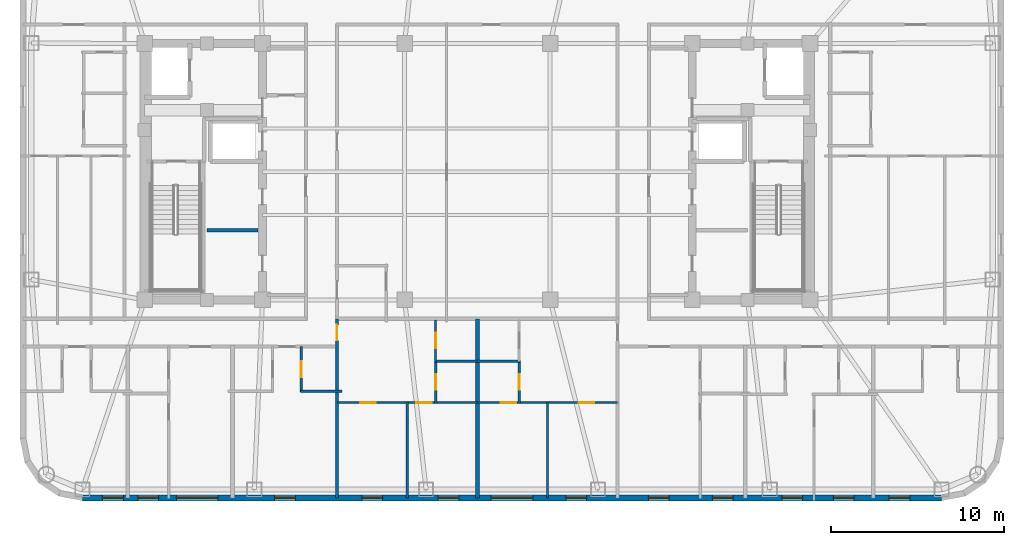
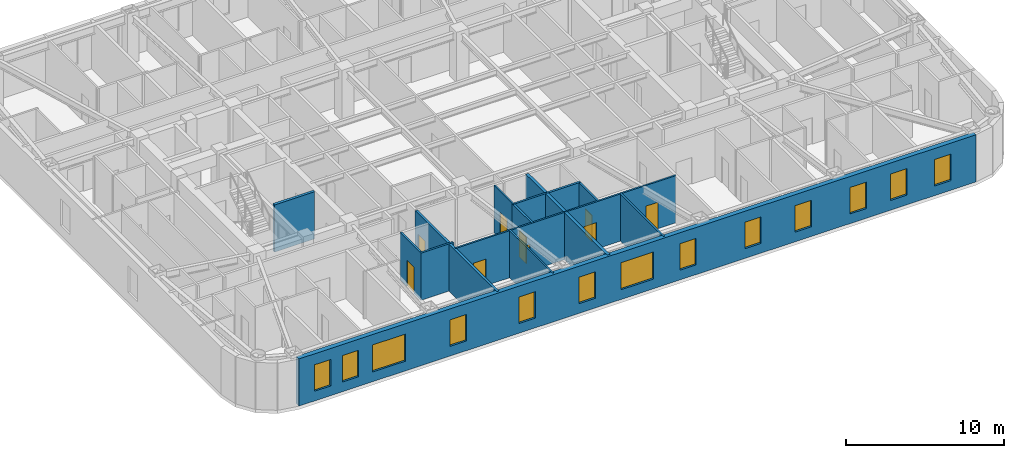
# One storey, part 3 of 11: 15 walls, 13 windows, 9 doors, 22 openings.
"""IFC4 building model written with IfcOpenShell, lengths in metres."""

import ifcopenshell
import ifcopenshell.guid

model = None  # the IFC model being written
_history = None  # IfcOwnerHistory: only IFC2X3 demands one
_inside = {}  # id of a spatial element -> (the spatial element, [elements in it])
_under = {}  # id of a project, library or spatial element -> (it, [spatial elements below it])
_declared = {}  # id of a project -> (the project, [libraries it declares])
_typed = {}  # id of a type object -> (the type object, [elements of that type])
_made_of = {}  # id of a material, layer set ... -> (it, [elements and type objects made of it])


def new_model(schema):
    """Start an empty IFC model of exactly this schema.

    Asked for "IFC4X3", IfcOpenShell would pick the latest addendum, in which some entities
    have other attributes; the version numbers below select the first issue.
    IFC2X3 requires an IfcOwnerHistory on every rooted entity: one is made here for all.
    """
    global model, _history
    if schema == "IFC4X3":
        model = ifcopenshell.file(schema_version=(4, 3, 0, 0))
    else:
        model = ifcopenshell.file(schema=schema)
    _inside.clear()
    _under.clear()
    _declared.clear()
    _typed.clear()
    _made_of.clear()
    _history = None
    if model.schema == "IFC2X3":
        org = make("IfcOrganization", Name="unknown")
        user = make(
            "IfcPersonAndOrganization",
            ThePerson=make("IfcPerson", FamilyName="unknown"),
            TheOrganization=org,
        )
        app = make(
            "IfcApplication",
            ApplicationDeveloper=org,
            Version="unknown",
            ApplicationFullName="unknown",
            ApplicationIdentifier="unknown",
        )
        _history = make(
            "IfcOwnerHistory",
            OwningUser=user,
            OwningApplication=app,
            ChangeAction="ADDED",
            CreationDate=0,
        )
    return model


def make(cls, **values):
    """One entity of the class cls with the attributes given. An attribute that is None is left unset."""
    return model.create_entity(
        cls, **{name: value for name, value in values.items() if value is not None}
    )


def rooted(cls, **values):
    """An entity with a GlobalId (a new one), such as an element, a storey or a relation."""
    return make(cls, GlobalId=ifcopenshell.guid.new(), OwnerHistory=_history, **values)


def si_unit(unit_type, name, prefix=None):
    """IfcSIUnit, for example si_unit("LENGTHUNIT", "METRE", prefix="MILLI")."""
    return make("IfcSIUnit", UnitType=unit_type, Prefix=prefix, Name=name)


def assignment(units):
    """IfcUnitAssignment: the units of a project."""
    return None if units is None else make("IfcUnitAssignment", Units=units)


def point(xyz):
    """IfcCartesianPoint."""
    return None if xyz is None else make("IfcCartesianPoint", Coordinates=xyz)


def direction(xyz):
    """IfcDirection."""
    return None if xyz is None else make("IfcDirection", DirectionRatios=xyz)


def frame(location, z_axis=None, x_axis=None):
    """IfcAxis2Placement3D, a coordinate frame: its origin and axes. An axis left out is left unset."""
    return make(
        "IfcAxis2Placement3D",
        Location=point(location),
        Axis=direction(z_axis),
        RefDirection=direction(x_axis),
    )


def frame_2d(location, x_axis=None):
    """IfcAxis2Placement2D, a coordinate frame in the plane: its origin and x axis."""
    return make(
        "IfcAxis2Placement2D", Location=point(location), RefDirection=direction(x_axis)
    )


def origin():
    """The frame at (0, 0, 0) with its axes left unset."""
    return frame((0.0, 0.0, 0.0))


def place(relative_to, where):
    """IfcLocalPlacement: puts the frame where relative to a parent placement (None: the world)."""
    return make(
        "IfcLocalPlacement", PlacementRelTo=relative_to, RelativePlacement=where
    )


def context(
    kind, dimensions, precision=None, world=None, true_north=None, identifier=None
):
    """IfcGeometricRepresentationContext, for example the 3D "Model" context."""
    return make(
        "IfcGeometricRepresentationContext",
        ContextIdentifier=identifier,
        ContextType=kind,
        CoordinateSpaceDimension=dimensions,
        Precision=precision,
        WorldCoordinateSystem=world,
        TrueNorth=true_north,
    )


def subcontext(parent, identifier, kind, view, scale=None):
    """IfcGeometricRepresentationSubContext, for example "Body" below "Model"."""
    return make(
        "IfcGeometricRepresentationSubContext",
        ContextIdentifier=identifier,
        ContextType=kind,
        ParentContext=parent,
        TargetScale=scale,
        TargetView=view,
    )


def project(units=None, contexts=None):
    """IfcProject with its units and contexts."""
    return rooted(
        "IfcProject",
        Name="project",
        RepresentationContexts=contexts,
        UnitsInContext=assignment(units),
    )


def spatial(cls, under=None, at=None, **own):
    """A site, building, storey or space (cls), placed at a placement, below another one or the project."""
    s = rooted(cls, ObjectPlacement=at, **own)
    if under is not None:
        _under.setdefault(under.id(), (under, []))[1].append(s)
    return s


def profile(cls, at=None, kind="AREA", **sizes):
    """A parametric profile (cls). Its sizes go by their IFC names, for example OverallWidth=200.0."""
    return make(cls, ProfileType=kind, Position=at, **sizes)


def rectangle(**sizes):
    """IfcRectangleProfileDef."""
    return profile("IfcRectangleProfileDef", **sizes)


def extrude(swept, where, along, depth):
    """IfcExtrudedAreaSolid: the profile swept, set in the frame where, extruded along a direction by depth."""
    return make(
        "IfcExtrudedAreaSolid",
        SweptArea=swept,
        Position=where,
        ExtrudedDirection=direction(along),
        Depth=depth,
    )


def shape(context_of_items, identifier, shape_type, items):
    """IfcShapeRepresentation: the items that make up one representation, for example the "Body"."""
    return make(
        "IfcShapeRepresentation",
        ContextOfItems=context_of_items,
        RepresentationIdentifier=identifier,
        RepresentationType=shape_type,
        Items=items,
    )


def material(Name=None, Category=None):
    """IfcMaterial."""
    return make("IfcMaterial", Name=Name, Category=Category)


def layer(
    of_material, thickness, ventilated=None, Name=None, Category=None, Priority=None
):
    """IfcMaterialLayer: one layer of a wall or slab, of a material (None: an air gap)."""
    return make(
        "IfcMaterialLayer",
        Material=of_material,
        LayerThickness=thickness,
        IsVentilated=ventilated,
        Name=Name,
        Category=Category,
        Priority=Priority,
    )


def layer_set(layers, Name=None):
    """IfcMaterialLayerSet."""
    return make("IfcMaterialLayerSet", MaterialLayers=layers, LayerSetName=Name)


def made_of(thing, what):
    """Note that an element or type object is made of a material, layer set ...; save() writes the relation."""
    if what is not None:
        _made_of.setdefault(what.id(), (what, []))[1].append(thing)
    return thing


def type_object(cls, material=None, **own):
    """A type object (cls), such as IfcWallType, which elements share."""
    return made_of(rooted(cls, **own), material)


def element(
    cls,
    number,
    at=None,
    inside=None,
    cuts=None,
    type_object=None,
    material=None,
    context=None,
    identifier="Body",
    shape_type=None,
    held_by="IfcProductDefinitionShape",
    body=None,
    shapes=None,
    **own,
):
    """One element of the class cls, such as IfcWall. Its Tag is "e" and its number.

    at: its placement. inside: the storey or other place that contains it. cuts: it is an
    opening in that element (IfcRelVoidsElement). A single representation is given by context,
    identifier, shape_type and body (its items); several are given by shapes. held_by: the class
    of the entity that holds the representations. save() writes the other relations.
    """
    e = rooted(cls, Tag="e%d" % number, ObjectPlacement=at, **own)
    if body is not None:
        shapes = [shape(context, identifier, shape_type, body)]
    if shapes is not None:
        e.Representation = make(held_by, Representations=shapes)
    if inside is not None:
        _inside.setdefault(inside.id(), (inside, []))[1].append(e)
    if cuts is not None:
        rooted(
            "IfcRelVoidsElement", RelatingBuildingElement=cuts, RelatedOpeningElement=e
        )
    if type_object is not None:
        _typed.setdefault(type_object.id(), (type_object, []))[1].append(e)
    return made_of(e, material)


def fill(opening, filler):
    """IfcRelFillsElement: the door or window that sits in an opening."""
    return rooted(
        "IfcRelFillsElement",
        RelatingOpeningElement=opening,
        RelatedBuildingElement=filler,
    )


def aggregate(whole, parts):
    """IfcRelAggregates: a whole, such as a stair, and the parts it consists of."""
    return rooted("IfcRelAggregates", RelatingObject=whole, RelatedObjects=parts)


def save(model, path):
    """Write the relations noted so far, then the file.

    IfcRelAggregates (storeys below a building ...), IfcRelContainedInSpatialStructure (elements
    in a storey), IfcRelDefinesByType, IfcRelAssociatesMaterial and IfcRelDeclares: one each for
    every whole, place, type object, material and project.
    """
    for whole, parts in _under.values():
        aggregate(whole, parts)
    for where, things in _inside.values():
        rooted(
            "IfcRelContainedInSpatialStructure",
            RelatedElements=things,
            RelatingStructure=where,
        )
    for kind, things in _typed.values():
        rooted("IfcRelDefinesByType", RelatedObjects=things, RelatingType=kind)
    for what, things in _made_of.values():
        rooted("IfcRelAssociatesMaterial", RelatedObjects=things, RelatingMaterial=what)
    for by, libraries in _declared.values():
        rooted("IfcRelDeclares", RelatingContext=by, RelatedDefinitions=libraries)
    model.write(path)


model = new_model("IFC4")

# Units and contexts
model_context = context("Model", 3, precision=1e-05, world=origin(), true_north=direction((0.0, 1.0)))
body_context = subcontext(model_context, "Body", "Model", "MODEL_VIEW")
ifc_project = project(units=[si_unit("LENGTHUNIT", "METRE"), si_unit("AREAUNIT", "SQUARE_METRE"), si_unit("VOLUMEUNIT", "CUBIC_METRE"), si_unit("PLANEANGLEUNIT", "RADIAN"), si_unit("MASSUNIT", "GRAM", prefix="KILO")], contexts=[model_context])

# Site, building, storey
site_placement = place(None, origin())
site = spatial("IfcSite", under=ifc_project, at=site_placement, CompositionType="ELEMENT")
building_placement = place(site_placement, origin())
building = spatial("IfcBuilding", under=site, at=building_placement, Name="Voryun Gate Residences", CompositionType="ELEMENT")
storey_placement = place(building_placement, frame((0.0, 0.0, 235.300048828125)))
storey = spatial("IfcBuildingStorey", under=building, at=storey_placement, Name="L58", CompositionType="ELEMENT", Elevation=235.300048828125)

# Wall, opening, door
ifc_material_1 = material(Name="Gypsum acoustic fireboard")
ifc_layer_1 = layer(ifc_material_1, 0.179931640625, Name="W_CORR_RATED_180")
ifc_layer_set_1 = layer_set([ifc_layer_1], Name="Gypsum acoustic fireboard")
wall_type_1 = type_object("IfcWallType", Name="W_CORR_RATED_180", PredefinedType="PARTITIONING", material=ifc_layer_set_1)
wall_1_placement = place(storey_placement, frame((-8.10009765625, -18.830078125, 0.0), z_axis=(0.0, 0.0, 1.0), x_axis=(0.0, 1.0, 0.0)))
wall_1 = element("IfcWall", 1, at=wall_1_placement, inside=storey, type_object=wall_type_1, Name="Partition wall WP-L58-SZV-1", PredefinedType="PARTITIONING", context=body_context, shape_type="SweptSolid", body=[
    extrude(rectangle(XDim=10.340087890625, YDim=0.179931640625, at=frame_2d((5.169921875, 0.0))), origin(), (0.0, 0.0, 1.0), 3.64990234375),
])
opening_1_placement = place(wall_1_placement, frame((9.089599609375, 0.0, 0.0)))
opening_1 = element("IfcOpeningElement", 2, at=opening_1_placement, cuts=wall_1, Name="Opening D-INT-2", PredefinedType="OPENING", context=body_context, shape_type="SweptSolid", body=[
    extrude(rectangle(XDim=0.89990234375, YDim=2.050048828125, at=frame_2d((0.449951171875, 1.02490234375))), frame((0.0, 0.099853515625, 0.0), z_axis=(0.0, -1.0, 0.0), x_axis=(1.0, 0.0, 0.0)), (0.0, 0.0, 1.0), 0.199951171875),
])
ifc_material_2 = material(Name="Architectural oak veneer")
door_type = type_object("IfcDoorType", Name="DR_INT_BATH_900", OperationType="NOTDEFINED", PredefinedType="DOOR", material=ifc_material_2)
door_1_placement = place(opening_1_placement, origin())
door_1 = element("IfcDoor", 3, at=door_1_placement, inside=storey, type_object=door_type, Name="Door DR-L58-SZENT-1", OperationType="SINGLE_SWING_LEFT", OverallHeight=2.050048828125, OverallWidth=0.89990234375, PredefinedType="DOOR", context=body_context, shape_type="SweptSolid", body=[
    extrude(rectangle(XDim=0.89990234375, YDim=2.050048828125, at=frame_2d((0.449951171875, 1.02490234375))), frame((0.0, 0.02490234375, 0.0), z_axis=(0.0, -1.0, 0.0), x_axis=(1.0, 0.0, 0.0)), (0.0, 0.0, 1.0), 0.050048828125),
])
fill(opening_1, door_1)

# Wall, openings, windows
ifc_material_3 = material(Name="Charcoal terracotta masonry", Category="masonry")
ifc_layer_2 = layer(ifc_material_3, 0.340087890625, Name="W_EXT_TERRACOTTA_340")
ifc_layer_set_2 = layer_set([ifc_layer_2], Name="Charcoal terracotta masonry")
wall_type_2 = type_object("IfcWallType", Name="W_EXT_TERRACOTTA_340", PredefinedType="ELEMENTEDWALL", material=ifc_layer_set_2)
wall_2_placement = place(storey_placement, frame((26.783203125, -18.830078125, 0.0), z_axis=(0.0, 0.0, 1.0), x_axis=(-1.0, 0.0, 0.0)))
wall_2 = element("IfcWall", 4, at=wall_2_placement, inside=storey, type_object=wall_type_2, Name="Exterior wall WEXT-L58-01", PredefinedType="ELEMENTEDWALL", context=body_context, shape_type="SweptSolid", body=[
    extrude(rectangle(XDim=49.56640625, YDim=0.340087890625, at=frame_2d((24.783203125, 0.0))), origin(), (0.0, 0.0, 1.0), 3.64990234375),
])
opening_2_placement = place(wall_2_placement, frame((23.583251953125, 0.0, 0.75)))
opening_2 = element("IfcOpeningElement", 5, at=opening_2_placement, cuts=wall_2, Name="Opening WN2", PredefinedType="OPENING", context=body_context, shape_type="SweptSolid", body=[
    extrude(rectangle(XDim=2.39990234375, YDim=2.10009765625, at=frame_2d((1.199951171875, 1.050048828125))), frame((0.0, 0.179931640625, 0.0), z_axis=(0.0, -1.0, 0.0), x_axis=(1.0, 0.0, 0.0)), (0.0, 0.0, 1.0), 0.360107421875),
])
opening_3_placement = place(wall_2_placement, frame((41.755615234375, 0.0, 0.75)))
opening_3 = element("IfcOpeningElement", 6, at=opening_3_placement, cuts=wall_2, Name="Opening WN2", PredefinedType="OPENING", context=body_context, shape_type="SweptSolid", body=[
    extrude(rectangle(XDim=2.39990234375, YDim=2.10009765625, at=frame_2d((1.199951171875, 1.050048828125))), frame((0.0, 0.179931640625, 0.0), z_axis=(0.0, -1.0, 0.0), x_axis=(1.0, 0.0, 0.0)), (0.0, 0.0, 1.0), 0.360107421875),
])
opening_4_placement = place(wall_2_placement, frame((47.222412109375, 0.0, 0.75)))
opening_4 = element("IfcOpeningElement", 7, at=opening_4_placement, cuts=wall_2, Name="Opening WN6", PredefinedType="OPENING", context=body_context, shape_type="SweptSolid", body=[
    extrude(rectangle(XDim=1.199951171875, YDim=2.050048828125, at=frame_2d((0.60009765625, 1.02490234375))), frame((0.0, 0.179931640625, 0.0), z_axis=(0.0, -1.0, 0.0), x_axis=(1.0, 0.0, 0.0)), (0.0, 0.0, 1.0), 0.360107421875),
])
opening_5_placement = place(wall_2_placement, frame((45.181396484375, 0.0, 0.75)))
opening_5 = element("IfcOpeningElement", 8, at=opening_5_placement, cuts=wall_2, Name="Opening WN6", PredefinedType="OPENING", context=body_context, shape_type="SweptSolid", body=[
    extrude(rectangle(XDim=1.199951171875, YDim=2.050048828125, at=frame_2d((0.60009765625, 1.02490234375))), frame((0.0, 0.179931640625, 0.0), z_axis=(0.0, -1.0, 0.0), x_axis=(1.0, 0.0, 0.0)), (0.0, 0.0, 1.0), 0.360107421875),
])
opening_6_placement = place(wall_2_placement, frame((37.289306640625, 0.0, 0.75)))
opening_6 = element("IfcOpeningElement", 9, at=opening_6_placement, cuts=wall_2, Name="Opening WN6", PredefinedType="OPENING", context=body_context, shape_type="SweptSolid", body=[
    extrude(rectangle(XDim=1.199951171875, YDim=2.050048828125, at=frame_2d((0.60009765625, 1.02490234375))), frame((0.0, 0.179931640625, 0.0), z_axis=(0.0, -1.0, 0.0), x_axis=(1.0, 0.0, 0.0)), (0.0, 0.0, 1.0), 0.360107421875),
])
opening_7_placement = place(wall_2_placement, frame((15.71533203125, 0.0, 0.75)))
opening_7 = element("IfcOpeningElement", 10, at=opening_7_placement, cuts=wall_2, Name="Opening WN6", PredefinedType="OPENING", context=body_context, shape_type="SweptSolid", body=[
    extrude(rectangle(XDim=1.199951171875, YDim=2.050048828125, at=frame_2d((0.60009765625, 1.02490234375))), frame((0.0, 0.179931640625, 0.0), z_axis=(0.0, -1.0, 0.0), x_axis=(1.0, 0.0, 0.0)), (0.0, 0.0, 1.0), 0.360107421875),
])
opening_8_placement = place(wall_2_placement, frame((12.022216796875, 0.0, 0.75)))
opening_8 = element("IfcOpeningElement", 11, at=opening_8_placement, cuts=wall_2, Name="Opening WN6", PredefinedType="OPENING", context=body_context, shape_type="SweptSolid", body=[
    extrude(rectangle(XDim=1.199951171875, YDim=2.050048828125, at=frame_2d((0.60009765625, 1.02490234375))), frame((0.0, 0.179931640625, 0.0), z_axis=(0.0, -1.0, 0.0), x_axis=(1.0, 0.0, 0.0)), (0.0, 0.0, 1.0), 0.360107421875),
])
opening_9_placement = place(wall_2_placement, frame((8.009765625, 0.0, 0.75)))
opening_9 = element("IfcOpeningElement", 12, at=opening_9_placement, cuts=wall_2, Name="Opening WN6", PredefinedType="OPENING", context=body_context, shape_type="SweptSolid", body=[
    extrude(rectangle(XDim=1.199951171875, YDim=2.050048828125, at=frame_2d((0.60009765625, 1.02490234375))), frame((0.0, 0.179931640625, 0.0), z_axis=(0.0, -1.0, 0.0), x_axis=(1.0, 0.0, 0.0)), (0.0, 0.0, 1.0), 0.360107421875),
])
opening_10_placement = place(wall_2_placement, frame((5.037353515625, 0.0, 0.75)))
opening_10 = element("IfcOpeningElement", 13, at=opening_10_placement, cuts=wall_2, Name="Opening WN6", PredefinedType="OPENING", context=body_context, shape_type="SweptSolid", body=[
    extrude(rectangle(XDim=1.199951171875, YDim=2.050048828125, at=frame_2d((0.60009765625, 1.02490234375))), frame((0.0, 0.179931640625, 0.0), z_axis=(0.0, -1.0, 0.0), x_axis=(1.0, 0.0, 0.0)), (0.0, 0.0, 1.0), 0.360107421875),
])
opening_11_placement = place(wall_2_placement, frame((1.81103515625, 0.0, 0.75)))
opening_11 = element("IfcOpeningElement", 14, at=opening_11_placement, cuts=wall_2, Name="Opening WN6", PredefinedType="OPENING", context=body_context, shape_type="SweptSolid", body=[
    extrude(rectangle(XDim=1.199951171875, YDim=2.050048828125, at=frame_2d((0.60009765625, 1.02490234375))), frame((0.0, 0.179931640625, 0.0), z_axis=(0.0, -1.0, 0.0), x_axis=(1.0, 0.0, 0.0)), (0.0, 0.0, 1.0), 0.360107421875),
])
opening_12_placement = place(wall_2_placement, frame((32.25341796875, 0.0, 0.75)))
opening_12 = element("IfcOpeningElement", 15, at=opening_12_placement, cuts=wall_2, Name="Opening WN6", PredefinedType="OPENING", context=body_context, shape_type="SweptSolid", body=[
    extrude(rectangle(XDim=1.199951171875, YDim=2.050048828125, at=frame_2d((0.60009765625, 1.02490234375))), frame((0.0, 0.179931640625, 0.0), z_axis=(0.0, -1.0, 0.0), x_axis=(1.0, 0.0, 0.0)), (0.0, 0.0, 1.0), 0.360107421875),
])
opening_13_placement = place(wall_2_placement, frame((27.853271484375, 0.0, 0.75)))
opening_13 = element("IfcOpeningElement", 16, at=opening_13_placement, cuts=wall_2, Name="Opening WN6", PredefinedType="OPENING", context=body_context, shape_type="SweptSolid", body=[
    extrude(rectangle(XDim=1.199951171875, YDim=2.050048828125, at=frame_2d((0.60009765625, 1.02490234375))), frame((0.0, 0.179931640625, 0.0), z_axis=(0.0, -1.0, 0.0), x_axis=(1.0, 0.0, 0.0)), (0.0, 0.0, 1.0), 0.360107421875),
])
opening_14_placement = place(wall_2_placement, frame((20.473388671875, 0.0, 0.75)))
opening_14 = element("IfcOpeningElement", 17, at=opening_14_placement, cuts=wall_2, Name="Opening WN6", PredefinedType="OPENING", context=body_context, shape_type="SweptSolid", body=[
    extrude(rectangle(XDim=1.199951171875, YDim=2.050048828125, at=frame_2d((0.60009765625, 1.02490234375))), frame((0.0, 0.179931640625, 0.0), z_axis=(0.0, -1.0, 0.0), x_axis=(1.0, 0.0, 0.0)), (0.0, 0.0, 1.0), 0.360107421875),
])
ifc_material_4 = material(Name="Laminated low-E glass", Category="glass")
window_type_1 = type_object("IfcWindowType", Name="WN_POD_SLOT_1200", PartitioningType="SINGLE_PANEL", PredefinedType="WINDOW", material=ifc_material_4)
window_1_placement = place(opening_4_placement, origin())
window_1 = element("IfcWindow", 18, at=window_1_placement, inside=storey, type_object=window_type_1, Name="Window WN-L58-DWFIX-13", OverallHeight=2.050048828125, OverallWidth=1.199951171875, PartitioningType="SINGLE_PANEL", PredefinedType="WINDOW", context=body_context, shape_type="SweptSolid", body=[
    extrude(rectangle(XDim=1.199951171875, YDim=2.050048828125, at=frame_2d((0.60009765625, 1.02490234375))), frame((0.0, 0.030029296875, 0.0), z_axis=(0.0, -1.0, 0.0), x_axis=(1.0, 0.0, 0.0)), (0.0, 0.0, 1.0), 0.06005859375),
])
fill(opening_4, window_1)
window_2_placement = place(opening_5_placement, origin())
window_2 = element("IfcWindow", 19, at=window_2_placement, inside=storey, type_object=window_type_1, Name="Window WN-L58-DWFIX-14", OverallHeight=2.050048828125, OverallWidth=1.199951171875, PartitioningType="SINGLE_PANEL", PredefinedType="WINDOW", context=body_context, shape_type="SweptSolid", body=[
    extrude(rectangle(XDim=1.199951171875, YDim=2.050048828125, at=frame_2d((0.60009765625, 1.02490234375))), frame((0.0, 0.030029296875, 0.0), z_axis=(0.0, -1.0, 0.0), x_axis=(1.0, 0.0, 0.0)), (0.0, 0.0, 1.0), 0.06005859375),
])
fill(opening_5, window_2)
window_3_placement = place(opening_6_placement, origin())
window_3 = element("IfcWindow", 20, at=window_3_placement, inside=storey, type_object=window_type_1, Name="Window WN-L58-DWFIX-15", OverallHeight=2.050048828125, OverallWidth=1.199951171875, PartitioningType="SINGLE_PANEL", PredefinedType="WINDOW", context=body_context, shape_type="SweptSolid", body=[
    extrude(rectangle(XDim=1.199951171875, YDim=2.050048828125, at=frame_2d((0.60009765625, 1.02490234375))), frame((0.0, 0.030029296875, 0.0), z_axis=(0.0, -1.0, 0.0), x_axis=(1.0, 0.0, 0.0)), (0.0, 0.0, 1.0), 0.06005859375),
])
fill(opening_6, window_3)
window_4_placement = place(opening_7_placement, origin())
window_4 = element("IfcWindow", 21, at=window_4_placement, inside=storey, type_object=window_type_1, Name="Window WN-L58-DWFIX-16", OverallHeight=2.050048828125, OverallWidth=1.199951171875, PartitioningType="SINGLE_PANEL", PredefinedType="WINDOW", context=body_context, shape_type="SweptSolid", body=[
    extrude(rectangle(XDim=1.199951171875, YDim=2.050048828125, at=frame_2d((0.60009765625, 1.02490234375))), frame((0.0, 0.030029296875, 0.0), z_axis=(0.0, -1.0, 0.0), x_axis=(1.0, 0.0, 0.0)), (0.0, 0.0, 1.0), 0.06005859375),
])
fill(opening_7, window_4)
window_5_placement = place(opening_8_placement, origin())
window_5 = element("IfcWindow", 22, at=window_5_placement, inside=storey, type_object=window_type_1, Name="Window WN-L58-DWFIX-17", OverallHeight=2.050048828125, OverallWidth=1.199951171875, PartitioningType="SINGLE_PANEL", PredefinedType="WINDOW", context=body_context, shape_type="SweptSolid", body=[
    extrude(rectangle(XDim=1.199951171875, YDim=2.050048828125, at=frame_2d((0.60009765625, 1.02490234375))), frame((0.0, 0.030029296875, 0.0), z_axis=(0.0, -1.0, 0.0), x_axis=(1.0, 0.0, 0.0)), (0.0, 0.0, 1.0), 0.06005859375),
])
fill(opening_8, window_5)
window_6_placement = place(opening_9_placement, origin())
window_6 = element("IfcWindow", 23, at=window_6_placement, inside=storey, type_object=window_type_1, Name="Window WN-L58-DWFIX-18", OverallHeight=2.050048828125, OverallWidth=1.199951171875, PartitioningType="SINGLE_PANEL", PredefinedType="WINDOW", context=body_context, shape_type="SweptSolid", body=[
    extrude(rectangle(XDim=1.199951171875, YDim=2.050048828125, at=frame_2d((0.60009765625, 1.02490234375))), frame((0.0, 0.030029296875, 0.0), z_axis=(0.0, -1.0, 0.0), x_axis=(1.0, 0.0, 0.0)), (0.0, 0.0, 1.0), 0.06005859375),
])
fill(opening_9, window_6)
window_7_placement = place(opening_10_placement, origin())
window_7 = element("IfcWindow", 24, at=window_7_placement, inside=storey, type_object=window_type_1, Name="Window WN-L58-DWFIX-19", OverallHeight=2.050048828125, OverallWidth=1.199951171875, PartitioningType="SINGLE_PANEL", PredefinedType="WINDOW", context=body_context, shape_type="SweptSolid", body=[
    extrude(rectangle(XDim=1.199951171875, YDim=2.050048828125, at=frame_2d((0.60009765625, 1.02490234375))), frame((0.0, 0.030029296875, 0.0), z_axis=(0.0, -1.0, 0.0), x_axis=(1.0, 0.0, 0.0)), (0.0, 0.0, 1.0), 0.06005859375),
])
fill(opening_10, window_7)
window_8_placement = place(opening_11_placement, origin())
window_8 = element("IfcWindow", 25, at=window_8_placement, inside=storey, type_object=window_type_1, Name="Window WN-L58-DWFIX-20", OverallHeight=2.050048828125, OverallWidth=1.199951171875, PartitioningType="SINGLE_PANEL", PredefinedType="WINDOW", context=body_context, shape_type="SweptSolid", body=[
    extrude(rectangle(XDim=1.199951171875, YDim=2.050048828125, at=frame_2d((0.60009765625, 1.02490234375))), frame((0.0, 0.030029296875, 0.0), z_axis=(0.0, -1.0, 0.0), x_axis=(1.0, 0.0, 0.0)), (0.0, 0.0, 1.0), 0.06005859375),
])
fill(opening_11, window_8)
window_9_placement = place(opening_12_placement, origin())
window_9 = element("IfcWindow", 26, at=window_9_placement, inside=storey, type_object=window_type_1, Name="Window WN-L58-DWFIX-21", OverallHeight=2.050048828125, OverallWidth=1.199951171875, PartitioningType="SINGLE_PANEL", PredefinedType="WINDOW", context=body_context, shape_type="SweptSolid", body=[
    extrude(rectangle(XDim=1.199951171875, YDim=2.050048828125, at=frame_2d((0.60009765625, 1.02490234375))), frame((0.0, 0.030029296875, 0.0), z_axis=(0.0, -1.0, 0.0), x_axis=(1.0, 0.0, 0.0)), (0.0, 0.0, 1.0), 0.06005859375),
])
fill(opening_12, window_9)
window_10_placement = place(opening_13_placement, origin())
window_10 = element("IfcWindow", 27, at=window_10_placement, inside=storey, type_object=window_type_1, Name="Window WN-L58-DWFIX-22", OverallHeight=2.050048828125, OverallWidth=1.199951171875, PartitioningType="SINGLE_PANEL", PredefinedType="WINDOW", context=body_context, shape_type="SweptSolid", body=[
    extrude(rectangle(XDim=1.199951171875, YDim=2.050048828125, at=frame_2d((0.60009765625, 1.02490234375))), frame((0.0, 0.030029296875, 0.0), z_axis=(0.0, -1.0, 0.0), x_axis=(1.0, 0.0, 0.0)), (0.0, 0.0, 1.0), 0.06005859375),
])
fill(opening_13, window_10)
window_11_placement = place(opening_14_placement, origin())
window_11 = element("IfcWindow", 28, at=window_11_placement, inside=storey, type_object=window_type_1, Name="Window WN-L58-DWFIX-23", OverallHeight=2.050048828125, OverallWidth=1.199951171875, PartitioningType="SINGLE_PANEL", PredefinedType="WINDOW", context=body_context, shape_type="SweptSolid", body=[
    extrude(rectangle(XDim=1.199951171875, YDim=2.050048828125, at=frame_2d((0.60009765625, 1.02490234375))), frame((0.0, 0.030029296875, 0.0), z_axis=(0.0, -1.0, 0.0), x_axis=(1.0, 0.0, 0.0)), (0.0, 0.0, 1.0), 0.06005859375),
])
fill(opening_14, window_11)
ifc_material_5 = material(Name="Laminated low-E glass", Category="glass")
window_type_2 = type_object("IfcWindowType", Name="WN_RES_WIDE_2400", PartitioningType="SINGLE_PANEL", PredefinedType="WINDOW", material=ifc_material_5)
window_12_placement = place(opening_2_placement, origin())
window_12 = element("IfcWindow", 29, at=window_12_placement, inside=storey, type_object=window_type_2, Name="Window WN-WEXT-L58-01-02", OverallHeight=2.10009765625, OverallWidth=2.39990234375, PartitioningType="SINGLE_PANEL", PredefinedType="WINDOW", context=body_context, shape_type="SweptSolid", body=[
    extrude(rectangle(XDim=2.39990234375, YDim=2.10009765625, at=frame_2d((1.199951171875, 1.050048828125))), frame((0.0, 0.030029296875, 0.0), z_axis=(0.0, -1.0, 0.0), x_axis=(1.0, 0.0, 0.0)), (0.0, 0.0, 1.0), 0.06005859375),
])
fill(opening_2, window_12)
window_13_placement = place(opening_3_placement, origin())
window_13 = element("IfcWindow", 30, at=window_13_placement, inside=storey, type_object=window_type_2, Name="Window WN-WEXT-L58-01-03", OverallHeight=2.10009765625, OverallWidth=2.39990234375, PartitioningType="SINGLE_PANEL", PredefinedType="WINDOW", context=body_context, shape_type="SweptSolid", body=[
    extrude(rectangle(XDim=2.39990234375, YDim=2.10009765625, at=frame_2d((1.199951171875, 1.050048828125))), frame((0.0, 0.030029296875, 0.0), z_axis=(0.0, -1.0, 0.0), x_axis=(1.0, 0.0, 0.0)), (0.0, 0.0, 1.0), 0.06005859375),
])
fill(opening_3, window_13)

# Walls
ifc_material_6 = material(Name="Concrete C40/50", Category="concrete")
ifc_layer_3 = layer(ifc_material_6, 0.199951171875, Name="W_FF_LOBBY_200")
ifc_layer_set_3 = layer_set([ifc_layer_3], Name="Concrete C40/50")
wall_type_3 = type_object("IfcWallType", Name="W_FF_LOBBY_200", PredefinedType="PARTITIONING", material=ifc_layer_set_3)
wall_3_placement = place(storey_placement, frame((-15.60009765625, -3.389892578125, 0.0), z_axis=(0.0, 0.0, 1.0), x_axis=(1.0, 0.0, 0.0)))
element("IfcWall", 31, at=wall_3_placement, inside=storey, type_object=wall_type_3, Name="Partition wall WP-L58-RECEY-W", PredefinedType="PARTITIONING", context=body_context, shape_type="SweptSolid", body=[
    extrude(rectangle(XDim=2.940185546875, YDim=0.199951171875, at=frame_2d((1.47021484375, 0.0))), origin(), (0.0, 0.0, 1.0), 3.64990234375),
])
ifc_material_7 = material(Name="Concrete C40/50", Category="concrete")
ifc_layer_4 = layer(ifc_material_7, 0.219970703125, Name="W_PARTY_ACOUSTIC_220")
ifc_layer_set_4 = layer_set([ifc_layer_4], Name="Concrete C40/50")
wall_type_4 = type_object("IfcWallType", Name="W_PARTY_ACOUSTIC_220", PredefinedType="PARTITIONING", material=ifc_layer_set_4)
wall_4_placement = place(storey_placement, frame((0.0, -18.830078125, 0.0), z_axis=(0.0, 0.0, 1.0), x_axis=(0.0, 1.0, 0.0)))
element("IfcWall", 32, at=wall_4_placement, inside=storey, type_object=wall_type_4, Name="Partition wall WP-L58-SZMID", PredefinedType="PARTITIONING", context=body_context, shape_type="SweptSolid", body=[
    extrude(rectangle(XDim=10.340087890625, YDim=0.219970703125, at=frame_2d((5.169921875, 0.0))), origin(), (0.0, 0.0, 1.0), 3.64990234375),
])

# Wall, openings, doors
ifc_material_8 = material(Name="Gypsum acoustic partition")
ifc_layer_5 = layer(ifc_material_8, 0.125, Name="W_UNIT_PART_125")
ifc_layer_set_5 = layer_set([ifc_layer_5], Name="Gypsum acoustic partition")
wall_type_5 = type_object("IfcWallType", Name="W_UNIT_PART_125", PredefinedType="PARTITIONING", material=ifc_layer_set_5)
wall_5_placement = place(storey_placement, frame((-8.080078125, -13.330078125, 0.0), z_axis=(0.0, 0.0, 1.0), x_axis=(1.0, 0.0, 0.0)))
wall_5 = element("IfcWall", 33, at=wall_5_placement, inside=storey, type_object=wall_type_5, Name="Partition wall WP-L58-SC1-HZ", PredefinedType="PARTITIONING", context=body_context, shape_type="SweptSolid", body=[
    extrude(rectangle(XDim=8.06005859375, YDim=0.125, at=frame_2d((4.030029296875, 0.0))), origin(), (0.0, 0.0, 1.0), 3.64990234375),
])
opening_15_placement = place(wall_5_placement, frame((1.3232421875, 0.0, 0.0)))
opening_15 = element("IfcOpeningElement", 34, at=opening_15_placement, cuts=wall_5, Name="Opening D-INT-2", PredefinedType="OPENING", context=body_context, shape_type="SweptSolid", body=[
    extrude(rectangle(XDim=0.89990234375, YDim=2.050048828125, at=frame_2d((0.449951171875, 1.02490234375))), frame((0.0, 0.072509765625, 0.0), z_axis=(0.0, -1.0, 0.0), x_axis=(1.0, 0.0, 0.0)), (0.0, 0.0, 1.0), 0.14501953125),
])
opening_16_placement = place(wall_5_placement, frame((4.547119140625, 0.0, 0.0)))
opening_16 = element("IfcOpeningElement", 35, at=opening_16_placement, cuts=wall_5, Name="Opening D-INT-2", PredefinedType="OPENING", context=body_context, shape_type="SweptSolid", body=[
    extrude(rectangle(XDim=0.89990234375, YDim=2.050048828125, at=frame_2d((0.449951171875, 1.02490234375))), frame((0.0, 0.072509765625, 0.0), z_axis=(0.0, -1.0, 0.0), x_axis=(1.0, 0.0, 0.0)), (0.0, 0.0, 1.0), 0.14501953125),
])
door_2_placement = place(opening_15_placement, origin())
door_2 = element("IfcDoor", 36, at=door_2_placement, inside=storey, type_object=door_type, Name="Door DR-L58-SC1-DMB", OperationType="SINGLE_SWING_LEFT", OverallHeight=2.050048828125, OverallWidth=0.89990234375, PredefinedType="DOOR", context=body_context, shape_type="SweptSolid", body=[
    extrude(rectangle(XDim=0.89990234375, YDim=2.050048828125, at=frame_2d((0.449951171875, 1.02490234375))), frame((0.0, 0.02490234375, 0.0), z_axis=(0.0, -1.0, 0.0), x_axis=(1.0, 0.0, 0.0)), (0.0, 0.0, 1.0), 0.050048828125),
])
fill(opening_15, door_2)
door_3_placement = place(opening_16_placement, origin())
door_3 = element("IfcDoor", 37, at=door_3_placement, inside=storey, type_object=door_type, Name="Door DR-L58-SC1-DBD2", OperationType="SINGLE_SWING_RIGHT", OverallHeight=2.050048828125, OverallWidth=0.89990234375, PredefinedType="DOOR", context=body_context, shape_type="SweptSolid", body=[
    extrude(rectangle(XDim=0.89990234375, YDim=2.050048828125, at=frame_2d((0.449951171875, 1.02490234375))), frame((0.0, 0.02490234375, 0.0), z_axis=(0.0, -1.0, 0.0), x_axis=(1.0, 0.0, 0.0)), (0.0, 0.0, 1.0), 0.050048828125),
])
fill(opening_16, door_3)

# Wall, opening, door
wall_6_placement = place(storey_placement, frame((-2.409912109375, -10.9599609375, 0.0), z_axis=(0.0, 0.0, 1.0), x_axis=(0.0, 1.0, 0.0)))
wall_6 = element("IfcWall", 38, at=wall_6_placement, inside=storey, type_object=wall_type_5, Name="Partition wall WP-L58-SC1-VK1", PredefinedType="PARTITIONING", context=body_context, shape_type="SweptSolid", body=[
    extrude(rectangle(XDim=2.409912109375, YDim=0.125, at=frame_2d((1.205078125, 0.0))), origin(), (0.0, 0.0, 1.0), 3.64990234375),
])
opening_17_placement = place(wall_6_placement, frame((0.7548828125, 0.0, 0.0)))
opening_17 = element("IfcOpeningElement", 39, at=opening_17_placement, cuts=wall_6, Name="Opening D-INT-2", PredefinedType="OPENING", context=body_context, shape_type="SweptSolid", body=[
    extrude(rectangle(XDim=0.89990234375, YDim=2.050048828125, at=frame_2d((0.449951171875, 1.02490234375))), frame((0.0, 0.072509765625, 0.0), z_axis=(0.0, -1.0, 0.0), x_axis=(1.0, 0.0, 0.0)), (0.0, 0.0, 1.0), 0.14501953125),
])
door_4_placement = place(opening_17_placement, origin())
door_4 = element("IfcDoor", 40, at=door_4_placement, inside=storey, type_object=door_type, Name="Door DR-L58-SC1-DK", OperationType="SINGLE_SWING_LEFT", OverallHeight=2.050048828125, OverallWidth=0.89990234375, PredefinedType="DOOR", context=body_context, shape_type="SweptSolid", body=[
    extrude(rectangle(XDim=0.89990234375, YDim=2.050048828125, at=frame_2d((0.449951171875, 1.02490234375))), frame((0.0, 0.02490234375, 0.0), z_axis=(0.0, -1.0, 0.0), x_axis=(1.0, 0.0, 0.0)), (0.0, 0.0, 1.0), 0.050048828125),
])
fill(opening_17, door_4)

# Wall
wall_7_placement = place(storey_placement, frame((-4.050048828125, -18.830078125, 0.0), z_axis=(0.0, 0.0, 1.0), x_axis=(0.0, 1.0, 0.0)))
element("IfcWall", 41, at=wall_7_placement, inside=storey, type_object=wall_type_5, Name="Partition wall WP-L58-SC1-VBD", PredefinedType="PARTITIONING", context=body_context, shape_type="SweptSolid", body=[
    extrude(rectangle(XDim=5.5400390625, YDim=0.125, at=frame_2d((2.77001953125, 0.0))), origin(), (0.0, 0.0, 1.0), 3.64990234375),
])

# Wall, openings, doors
wall_8_placement = place(storey_placement, frame((0.02001953125, -13.330078125, 0.0), z_axis=(0.0, 0.0, 1.0), x_axis=(1.0, 0.0, 0.0)))
wall_8 = element("IfcWall", 42, at=wall_8_placement, inside=storey, type_object=wall_type_5, Name="Partition wall WP-L58-SC2-HZ", PredefinedType="PARTITIONING", context=body_context, shape_type="SweptSolid", body=[
    extrude(rectangle(XDim=8.06005859375, YDim=0.125, at=frame_2d((4.030029296875, 0.0))), origin(), (0.0, 0.0, 1.0), 3.64990234375),
])
opening_18_placement = place(wall_8_placement, frame((1.3232421875, 0.0, 0.0)))
opening_18 = element("IfcOpeningElement", 43, at=opening_18_placement, cuts=wall_8, Name="Opening D-INT-2", PredefinedType="OPENING", context=body_context, shape_type="SweptSolid", body=[
    extrude(rectangle(XDim=0.89990234375, YDim=2.050048828125, at=frame_2d((0.449951171875, 1.02490234375))), frame((0.0, 0.072509765625, 0.0), z_axis=(0.0, -1.0, 0.0), x_axis=(1.0, 0.0, 0.0)), (0.0, 0.0, 1.0), 0.14501953125),
])
opening_19_placement = place(wall_8_placement, frame((5.8369140625, 0.0, 0.0)))
opening_19 = element("IfcOpeningElement", 44, at=opening_19_placement, cuts=wall_8, Name="Opening D-INT-2", PredefinedType="OPENING", context=body_context, shape_type="SweptSolid", body=[
    extrude(rectangle(XDim=0.89990234375, YDim=2.050048828125, at=frame_2d((0.449951171875, 1.02490234375))), frame((0.0, 0.072509765625, 0.0), z_axis=(0.0, -1.0, 0.0), x_axis=(1.0, 0.0, 0.0)), (0.0, 0.0, 1.0), 0.14501953125),
])
door_5_placement = place(opening_18_placement, origin())
door_5 = element("IfcDoor", 45, at=door_5_placement, inside=storey, type_object=door_type, Name="Door DR-L58-SC2-DMB", OperationType="SINGLE_SWING_LEFT", OverallHeight=2.050048828125, OverallWidth=0.89990234375, PredefinedType="DOOR", context=body_context, shape_type="SweptSolid", body=[
    extrude(rectangle(XDim=0.89990234375, YDim=2.050048828125, at=frame_2d((0.449951171875, 1.02490234375))), frame((0.0, 0.02490234375, 0.0), z_axis=(0.0, -1.0, 0.0), x_axis=(1.0, 0.0, 0.0)), (0.0, 0.0, 1.0), 0.050048828125),
])
fill(opening_18, door_5)
door_6_placement = place(opening_19_placement, origin())
door_6 = element("IfcDoor", 46, at=door_6_placement, inside=storey, type_object=door_type, Name="Door DR-L58-SC2-DBD2", OperationType="SINGLE_SWING_RIGHT", OverallHeight=2.050048828125, OverallWidth=0.89990234375, PredefinedType="DOOR", context=body_context, shape_type="SweptSolid", body=[
    extrude(rectangle(XDim=0.89990234375, YDim=2.050048828125, at=frame_2d((0.449951171875, 1.02490234375))), frame((0.0, 0.02490234375, 0.0), z_axis=(0.0, -1.0, 0.0), x_axis=(1.0, 0.0, 0.0)), (0.0, 0.0, 1.0), 0.050048828125),
])
fill(opening_19, door_6)

# Wall
wall_9_placement = place(storey_placement, frame((4.050048828125, -18.830078125, 0.0), z_axis=(0.0, 0.0, 1.0), x_axis=(0.0, 1.0, 0.0)))
element("IfcWall", 47, at=wall_9_placement, inside=storey, type_object=wall_type_5, Name="Partition wall WP-L58-SC2-VBD", PredefinedType="PARTITIONING", context=body_context, shape_type="SweptSolid", body=[
    extrude(rectangle(XDim=5.5400390625, YDim=0.125, at=frame_2d((2.77001953125, 0.0))), origin(), (0.0, 0.0, 1.0), 3.64990234375),
])

# Wall, opening, door
ifc_material_9 = material(Name="Gypsum moisture-resistant partition")
ifc_layer_6 = layer(ifc_material_9, 0.14990234375, Name="W_WET_PLUMB_150")
ifc_layer_set_6 = layer_set([ifc_layer_6], Name="Gypsum moisture-resistant partition")
wall_type_6 = type_object("IfcWallType", Name="W_WET_PLUMB_150", PredefinedType="PLUMBINGWALL", material=ifc_layer_set_6)
wall_10_placement = place(storey_placement, frame((-10.156982421875, -12.72998046875, 0.0), z_axis=(0.0, 0.0, 1.0), x_axis=(0.0, 1.0, 0.0)))
wall_10 = element("IfcWall", 48, at=wall_10_placement, inside=storey, type_object=wall_type_6, Name="Partition wall WP-L58-S3-CVB", PredefinedType="PLUMBINGWALL", context=body_context, shape_type="SweptSolid", body=[
    extrude(rectangle(XDim=2.64990234375, YDim=0.14990234375, at=frame_2d((1.324951171875, 0.0))), origin(), (0.0, 0.0, 1.0), 3.64990234375),
])
opening_20_placement = place(wall_10_placement, frame((0.875, 0.0, 0.0)))
opening_20 = element("IfcOpeningElement", 49, at=opening_20_placement, cuts=wall_10, Name="Opening D-INT-2", PredefinedType="OPENING", context=body_context, shape_type="SweptSolid", body=[
    extrude(rectangle(XDim=0.89990234375, YDim=2.050048828125, at=frame_2d((0.449951171875, 1.02490234375))), frame((0.0, 0.0849609375, 0.0), z_axis=(0.0, -1.0, 0.0), x_axis=(1.0, 0.0, 0.0)), (0.0, 0.0, 1.0), 0.169921875),
])
door_7_placement = place(opening_20_placement, origin())
door_7 = element("IfcDoor", 50, at=door_7_placement, inside=storey, type_object=door_type, Name="Door DR-L58-S3-DB", OperationType="SINGLE_SWING_RIGHT", OverallHeight=2.050048828125, OverallWidth=0.89990234375, PredefinedType="DOOR", context=body_context, shape_type="SweptSolid", body=[
    extrude(rectangle(XDim=0.89990234375, YDim=2.050048828125, at=frame_2d((0.449951171875, 1.02490234375))), frame((0.0, 0.02490234375, 0.0), z_axis=(0.0, -1.0, 0.0), x_axis=(1.0, 0.0, 0.0)), (0.0, 0.0, 1.0), 0.050048828125),
])
fill(opening_20, door_7)

# Wall
wall_11_placement = place(storey_placement, frame((-10.217041015625, -12.669921875, 0.0), z_axis=(0.0, 0.0, 1.0), x_axis=(1.0, 0.0, 0.0)))
element("IfcWall", 51, at=wall_11_placement, inside=storey, type_object=wall_type_6, Name="Partition wall WP-L58-S3-CHB", PredefinedType="PLUMBINGWALL", context=body_context, shape_type="SweptSolid", body=[
    extrude(rectangle(XDim=2.39697265625, YDim=0.14990234375, at=frame_2d((1.198486328125, 0.0))), origin(), (0.0, 0.0, 1.0), 3.64990234375),
])

# Wall, opening, door
wall_12_placement = place(storey_placement, frame((-2.409912109375, -13.3701171875, 0.0), z_axis=(0.0, 0.0, 1.0), x_axis=(0.0, 1.0, 0.0)))
wall_12 = element("IfcWall", 52, at=wall_12_placement, inside=storey, type_object=wall_type_6, Name="Partition wall WP-L58-SC1-VK2", PredefinedType="PLUMBINGWALL", context=body_context, shape_type="SweptSolid", body=[
    extrude(rectangle(XDim=2.47021484375, YDim=0.14990234375, at=frame_2d((1.235107421875, 0.0))), origin(), (0.0, 0.0, 1.0), 3.64990234375),
])
opening_21_placement = place(wall_12_placement, frame((0.784912109375, 0.0, 0.0)))
opening_21 = element("IfcOpeningElement", 53, at=opening_21_placement, cuts=wall_12, Name="Opening D-INT-2", PredefinedType="OPENING", context=body_context, shape_type="SweptSolid", body=[
    extrude(rectangle(XDim=0.89990234375, YDim=2.050048828125, at=frame_2d((0.449951171875, 1.02490234375))), frame((0.0, 0.0849609375, 0.0), z_axis=(0.0, -1.0, 0.0), x_axis=(1.0, 0.0, 0.0)), (0.0, 0.0, 1.0), 0.169921875),
])
door_8_placement = place(opening_21_placement, origin())
door_8 = element("IfcDoor", 54, at=door_8_placement, inside=storey, type_object=door_type, Name="Door DR-L58-SC1-DB", OperationType="SINGLE_SWING_RIGHT", OverallHeight=2.050048828125, OverallWidth=0.89990234375, PredefinedType="DOOR", context=body_context, shape_type="SweptSolid", body=[
    extrude(rectangle(XDim=0.89990234375, YDim=2.050048828125, at=frame_2d((0.449951171875, 1.02490234375))), frame((0.0, 0.02490234375, 0.0), z_axis=(0.0, -1.0, 0.0), x_axis=(1.0, 0.0, 0.0)), (0.0, 0.0, 1.0), 0.050048828125),
])
fill(opening_21, door_8)

# Wall
wall_13_placement = place(storey_placement, frame((-2.449951171875, -10.929931640625, 0.0), z_axis=(0.0, 0.0, 1.0), x_axis=(1.0, 0.0, 0.0)))
element("IfcWall", 55, at=wall_13_placement, inside=storey, type_object=wall_type_6, Name="Partition wall WP-L58-SC1-HKB", PredefinedType="PLUMBINGWALL", context=body_context, shape_type="SweptSolid", body=[
    extrude(rectangle(XDim=2.429931640625, YDim=0.14990234375, at=frame_2d((1.21484375, 0.0))), origin(), (0.0, 0.0, 1.0), 3.64990234375),
])

# Wall, opening, door
wall_14_placement = place(storey_placement, frame((2.409912109375, -13.3701171875, 0.0), z_axis=(0.0, 0.0, 1.0), x_axis=(0.0, 1.0, 0.0)))
wall_14 = element("IfcWall", 56, at=wall_14_placement, inside=storey, type_object=wall_type_6, Name="Partition wall WP-L58-SC2-VK2", PredefinedType="PLUMBINGWALL", context=body_context, shape_type="SweptSolid", body=[
    extrude(rectangle(XDim=2.47021484375, YDim=0.14990234375, at=frame_2d((1.235107421875, 0.0))), origin(), (0.0, 0.0, 1.0), 3.64990234375),
])
opening_22_placement = place(wall_14_placement, frame((0.784912109375, 0.0, 0.0)))
opening_22 = element("IfcOpeningElement", 57, at=opening_22_placement, cuts=wall_14, Name="Opening D-INT-2", PredefinedType="OPENING", context=body_context, shape_type="SweptSolid", body=[
    extrude(rectangle(XDim=0.89990234375, YDim=2.050048828125, at=frame_2d((0.449951171875, 1.02490234375))), frame((0.0, 0.0849609375, 0.0), z_axis=(0.0, -1.0, 0.0), x_axis=(1.0, 0.0, 0.0)), (0.0, 0.0, 1.0), 0.169921875),
])
door_9_placement = place(opening_22_placement, origin())
door_9 = element("IfcDoor", 58, at=door_9_placement, inside=storey, type_object=door_type, Name="Door DR-L58-SC2-DB", OperationType="SINGLE_SWING_RIGHT", OverallHeight=2.050048828125, OverallWidth=0.89990234375, PredefinedType="DOOR", context=body_context, shape_type="SweptSolid", body=[
    extrude(rectangle(XDim=0.89990234375, YDim=2.050048828125, at=frame_2d((0.449951171875, 1.02490234375))), frame((0.0, 0.02490234375, 0.0), z_axis=(0.0, -1.0, 0.0), x_axis=(1.0, 0.0, 0.0)), (0.0, 0.0, 1.0), 0.050048828125),
])
fill(opening_22, door_9)

# Wall
wall_15_placement = place(storey_placement, frame((0.02001953125, -10.929931640625, 0.0), z_axis=(0.0, 0.0, 1.0), x_axis=(1.0, 0.0, 0.0)))
element("IfcWall", 59, at=wall_15_placement, inside=storey, type_object=wall_type_6, Name="Partition wall WP-L58-SC2-HKB", PredefinedType="PLUMBINGWALL", context=body_context, shape_type="SweptSolid", body=[
    extrude(rectangle(XDim=2.429931640625, YDim=0.14990234375, at=frame_2d((1.21484375, 0.0))), origin(), (0.0, 0.0, 1.0), 3.64990234375),
])

save(model, "model.ifc")
